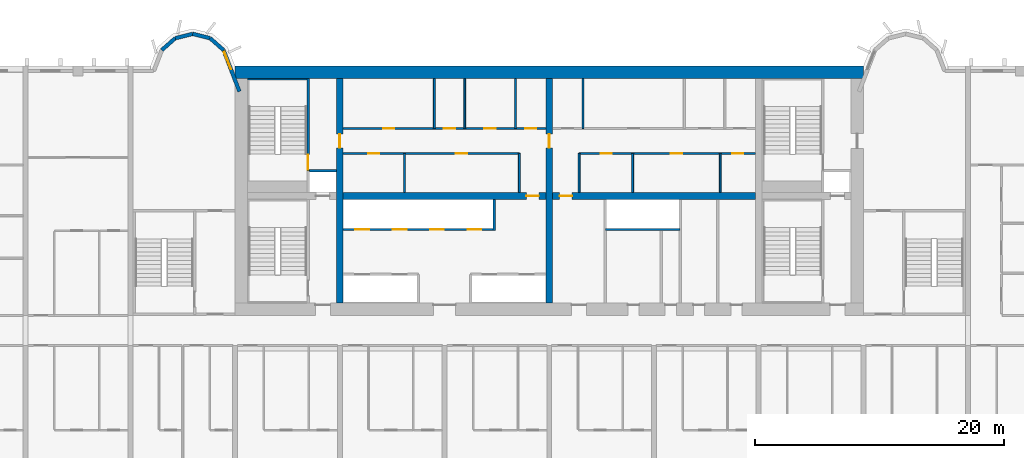
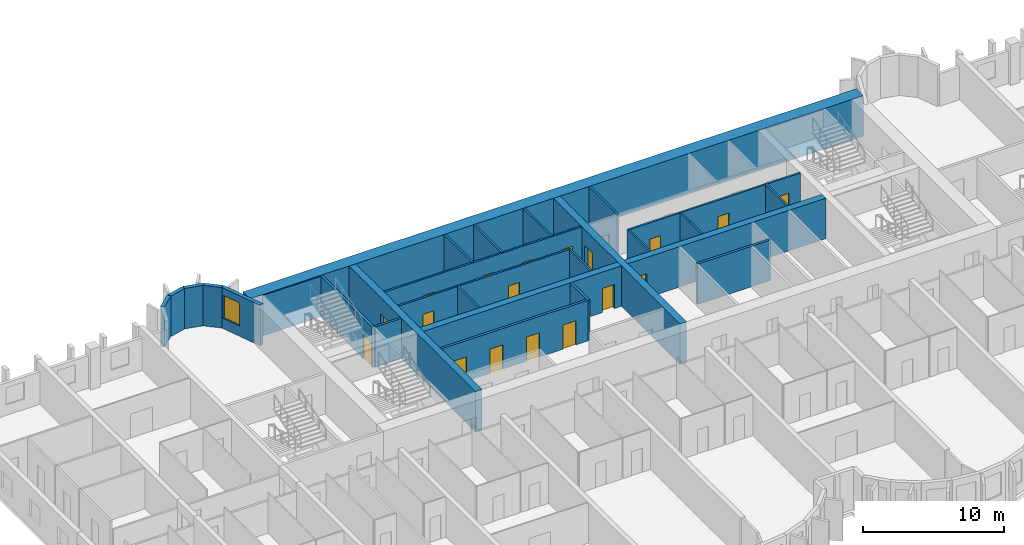
# One storey, part 7 of 15: 28 walls, 18 doors, 1 window, 19 openings.
"""IFC4 building model written with IfcOpenShell, lengths in metres."""

import ifcopenshell
import ifcopenshell.guid

model = None  # the IFC model being written
_history = None  # IfcOwnerHistory: only IFC2X3 demands one
_inside = {}  # id of a spatial element -> (the spatial element, [elements in it])
_under = {}  # id of a project, library or spatial element -> (it, [spatial elements below it])
_declared = {}  # id of a project -> (the project, [libraries it declares])
_typed = {}  # id of a type object -> (the type object, [elements of that type])
_made_of = {}  # id of a material, layer set ... -> (it, [elements and type objects made of it])


def new_model(schema):
    """Start an empty IFC model of exactly this schema.

    Asked for "IFC4X3", IfcOpenShell would pick the latest addendum, in which some entities
    have other attributes; the version numbers below select the first issue.
    IFC2X3 requires an IfcOwnerHistory on every rooted entity: one is made here for all.
    """
    global model, _history
    if schema == "IFC4X3":
        model = ifcopenshell.file(schema_version=(4, 3, 0, 0))
    else:
        model = ifcopenshell.file(schema=schema)
    _inside.clear()
    _under.clear()
    _declared.clear()
    _typed.clear()
    _made_of.clear()
    _history = None
    if model.schema == "IFC2X3":
        org = make("IfcOrganization", Name="unknown")
        user = make(
            "IfcPersonAndOrganization",
            ThePerson=make("IfcPerson", FamilyName="unknown"),
            TheOrganization=org,
        )
        app = make(
            "IfcApplication",
            ApplicationDeveloper=org,
            Version="unknown",
            ApplicationFullName="unknown",
            ApplicationIdentifier="unknown",
        )
        _history = make(
            "IfcOwnerHistory",
            OwningUser=user,
            OwningApplication=app,
            ChangeAction="ADDED",
            CreationDate=0,
        )
    return model


def make(cls, **values):
    """One entity of the class cls with the attributes given. An attribute that is None is left unset."""
    return model.create_entity(
        cls, **{name: value for name, value in values.items() if value is not None}
    )


def rooted(cls, **values):
    """An entity with a GlobalId (a new one), such as an element, a storey or a relation."""
    return make(cls, GlobalId=ifcopenshell.guid.new(), OwnerHistory=_history, **values)


def si_unit(unit_type, name, prefix=None):
    """IfcSIUnit, for example si_unit("LENGTHUNIT", "METRE", prefix="MILLI")."""
    return make("IfcSIUnit", UnitType=unit_type, Prefix=prefix, Name=name)


def assignment(units):
    """IfcUnitAssignment: the units of a project."""
    return None if units is None else make("IfcUnitAssignment", Units=units)


def point(xyz):
    """IfcCartesianPoint."""
    return None if xyz is None else make("IfcCartesianPoint", Coordinates=xyz)


def direction(xyz):
    """IfcDirection."""
    return None if xyz is None else make("IfcDirection", DirectionRatios=xyz)


def frame(location, z_axis=None, x_axis=None):
    """IfcAxis2Placement3D, a coordinate frame: its origin and axes. An axis left out is left unset."""
    return make(
        "IfcAxis2Placement3D",
        Location=point(location),
        Axis=direction(z_axis),
        RefDirection=direction(x_axis),
    )


def frame_2d(location, x_axis=None):
    """IfcAxis2Placement2D, a coordinate frame in the plane: its origin and x axis."""
    return make(
        "IfcAxis2Placement2D", Location=point(location), RefDirection=direction(x_axis)
    )


def origin():
    """The frame at (0, 0, 0) with its axes left unset."""
    return frame((0.0, 0.0, 0.0))


def place(relative_to, where):
    """IfcLocalPlacement: puts the frame where relative to a parent placement (None: the world)."""
    return make(
        "IfcLocalPlacement", PlacementRelTo=relative_to, RelativePlacement=where
    )


def context(
    kind, dimensions, precision=None, world=None, true_north=None, identifier=None
):
    """IfcGeometricRepresentationContext, for example the 3D "Model" context."""
    return make(
        "IfcGeometricRepresentationContext",
        ContextIdentifier=identifier,
        ContextType=kind,
        CoordinateSpaceDimension=dimensions,
        Precision=precision,
        WorldCoordinateSystem=world,
        TrueNorth=true_north,
    )


def subcontext(parent, identifier, kind, view, scale=None):
    """IfcGeometricRepresentationSubContext, for example "Body" below "Model"."""
    return make(
        "IfcGeometricRepresentationSubContext",
        ContextIdentifier=identifier,
        ContextType=kind,
        ParentContext=parent,
        TargetScale=scale,
        TargetView=view,
    )


def project(units=None, contexts=None):
    """IfcProject with its units and contexts."""
    return rooted(
        "IfcProject",
        Name="project",
        RepresentationContexts=contexts,
        UnitsInContext=assignment(units),
    )


def spatial(cls, under=None, at=None, **own):
    """A site, building, storey or space (cls), placed at a placement, below another one or the project."""
    s = rooted(cls, ObjectPlacement=at, **own)
    if under is not None:
        _under.setdefault(under.id(), (under, []))[1].append(s)
    return s


def profile(cls, at=None, kind="AREA", **sizes):
    """A parametric profile (cls). Its sizes go by their IFC names, for example OverallWidth=200.0."""
    return make(cls, ProfileType=kind, Position=at, **sizes)


def rectangle(**sizes):
    """IfcRectangleProfileDef."""
    return profile("IfcRectangleProfileDef", **sizes)


def extrude(swept, where, along, depth):
    """IfcExtrudedAreaSolid: the profile swept, set in the frame where, extruded along a direction by depth."""
    return make(
        "IfcExtrudedAreaSolid",
        SweptArea=swept,
        Position=where,
        ExtrudedDirection=direction(along),
        Depth=depth,
    )


def shape(context_of_items, identifier, shape_type, items):
    """IfcShapeRepresentation: the items that make up one representation, for example the "Body"."""
    return make(
        "IfcShapeRepresentation",
        ContextOfItems=context_of_items,
        RepresentationIdentifier=identifier,
        RepresentationType=shape_type,
        Items=items,
    )


def source(mapping_origin, context_of_items, identifier, shape_type, items):
    """IfcRepresentationMap: a shape defined once, which mapped items show again and again."""
    return make(
        "IfcRepresentationMap",
        MappingOrigin=mapping_origin,
        MappedRepresentation=shape(context_of_items, identifier, shape_type, items),
    )


def transform(
    local_origin,
    x_axis=None,
    y_axis=None,
    z_axis=None,
    scale=None,
    scale2=None,
    scale3=None,
    uniform=True,
):
    """IfcCartesianTransformationOperator3D, or its non-uniform kind. x_axis, y_axis, z_axis: its Axis1, 2, 3."""
    if uniform:
        return make(
            "IfcCartesianTransformationOperator3D",
            Axis1=direction(x_axis),
            Axis2=direction(y_axis),
            LocalOrigin=point(local_origin),
            Scale=scale,
            Axis3=direction(z_axis),
        )
    return make(
        "IfcCartesianTransformationOperator3DnonUniform",
        Axis1=direction(x_axis),
        Axis2=direction(y_axis),
        LocalOrigin=point(local_origin),
        Scale=scale,
        Axis3=direction(z_axis),
        Scale2=scale2,
        Scale3=scale3,
    )


def mapped(mapping_source, mapping_target):
    """IfcMappedItem: shows the shape of a source again, moved by a transform."""
    return make(
        "IfcMappedItem", MappingSource=mapping_source, MappingTarget=mapping_target
    )


def material(Name=None, Category=None):
    """IfcMaterial."""
    return make("IfcMaterial", Name=Name, Category=Category)


def layer(
    of_material, thickness, ventilated=None, Name=None, Category=None, Priority=None
):
    """IfcMaterialLayer: one layer of a wall or slab, of a material (None: an air gap)."""
    return make(
        "IfcMaterialLayer",
        Material=of_material,
        LayerThickness=thickness,
        IsVentilated=ventilated,
        Name=Name,
        Category=Category,
        Priority=Priority,
    )


def layer_set(layers, Name=None):
    """IfcMaterialLayerSet."""
    return make("IfcMaterialLayerSet", MaterialLayers=layers, LayerSetName=Name)


def made_of(thing, what):
    """Note that an element or type object is made of a material, layer set ...; save() writes the relation."""
    if what is not None:
        _made_of.setdefault(what.id(), (what, []))[1].append(thing)
    return thing


def type_object(cls, material=None, **own):
    """A type object (cls), such as IfcWallType, which elements share."""
    return made_of(rooted(cls, **own), material)


def element(
    cls,
    number,
    at=None,
    inside=None,
    cuts=None,
    type_object=None,
    material=None,
    context=None,
    identifier="Body",
    shape_type=None,
    held_by="IfcProductDefinitionShape",
    body=None,
    shapes=None,
    **own,
):
    """One element of the class cls, such as IfcWall. Its Tag is "e" and its number.

    at: its placement. inside: the storey or other place that contains it. cuts: it is an
    opening in that element (IfcRelVoidsElement). A single representation is given by context,
    identifier, shape_type and body (its items); several are given by shapes. held_by: the class
    of the entity that holds the representations. save() writes the other relations.
    """
    e = rooted(cls, Tag="e%d" % number, ObjectPlacement=at, **own)
    if body is not None:
        shapes = [shape(context, identifier, shape_type, body)]
    if shapes is not None:
        e.Representation = make(held_by, Representations=shapes)
    if inside is not None:
        _inside.setdefault(inside.id(), (inside, []))[1].append(e)
    if cuts is not None:
        rooted(
            "IfcRelVoidsElement", RelatingBuildingElement=cuts, RelatedOpeningElement=e
        )
    if type_object is not None:
        _typed.setdefault(type_object.id(), (type_object, []))[1].append(e)
    return made_of(e, material)


def fill(opening, filler):
    """IfcRelFillsElement: the door or window that sits in an opening."""
    return rooted(
        "IfcRelFillsElement",
        RelatingOpeningElement=opening,
        RelatedBuildingElement=filler,
    )


def aggregate(whole, parts):
    """IfcRelAggregates: a whole, such as a stair, and the parts it consists of."""
    return rooted("IfcRelAggregates", RelatingObject=whole, RelatedObjects=parts)


def save(model, path):
    """Write the relations noted so far, then the file.

    IfcRelAggregates (storeys below a building ...), IfcRelContainedInSpatialStructure (elements
    in a storey), IfcRelDefinesByType, IfcRelAssociatesMaterial and IfcRelDeclares: one each for
    every whole, place, type object, material and project.
    """
    for whole, parts in _under.values():
        aggregate(whole, parts)
    for where, things in _inside.values():
        rooted(
            "IfcRelContainedInSpatialStructure",
            RelatedElements=things,
            RelatingStructure=where,
        )
    for kind, things in _typed.values():
        rooted("IfcRelDefinesByType", RelatedObjects=things, RelatingType=kind)
    for what, things in _made_of.values():
        rooted("IfcRelAssociatesMaterial", RelatedObjects=things, RelatingMaterial=what)
    for by, libraries in _declared.values():
        rooted("IfcRelDeclares", RelatingContext=by, RelatedDefinitions=libraries)
    model.write(path)


model = new_model("IFC4")

# Units and contexts
model_context = context("Model", 3, precision=1e-05, world=origin(), true_north=direction((0.0, 1.0)))
body_context = subcontext(model_context, "Body", "Model", "MODEL_VIEW")
ifc_project = project(units=[si_unit("LENGTHUNIT", "METRE"), si_unit("AREAUNIT", "SQUARE_METRE"), si_unit("VOLUMEUNIT", "CUBIC_METRE"), si_unit("PLANEANGLEUNIT", "RADIAN"), si_unit("MASSUNIT", "GRAM", prefix="KILO")], contexts=[model_context])

# Site, building, storey
site_placement = place(None, origin())
site = spatial("IfcSite", under=ifc_project, at=site_placement, CompositionType="ELEMENT")
building_placement = place(site_placement, origin())
building = spatial("IfcBuilding", under=site, at=building_placement, Name="Vanashikhar Sky Hotel", CompositionType="ELEMENT")
storey_placement = place(building_placement, frame((0.0, 0.0, 65.800048828125)))
storey = spatial("IfcBuildingStorey", under=building, at=storey_placement, Name="L15", CompositionType="ELEMENT", Elevation=65.800048828125)

# Wall
ifc_material_1 = material(Name="Concrete M80", Category="concrete")
ifc_layer_1 = layer(ifc_material_1, 1.0)
ifc_layer_set_1 = layer_set([ifc_layer_1], Name="RC core shell wall 1000 Concrete M80")
wall_type_1 = type_object("IfcWallType", Name="RC core shell wall 1000 Concrete M80", PredefinedType="SHEAR", material=ifc_layer_set_1)
shared_shape_1 = source(origin(), body_context, "Body", "SweptSolid", [
    extrude(rectangle(XDim=50.400146484375, YDim=1.0, at=frame_2d((25.2001953125, 0.0))), origin(), (0.0, 0.0, 1.0), 3.52001953125),
])
wall_1_placement = place(storey_placement, frame((25.199951171875, 41.5, 0.0), z_axis=(0.0, 0.0, 1.0), x_axis=(1.0, 0.0, 0.0)))
element("IfcWall", 1, at=wall_1_placement, inside=storey, type_object=wall_type_1, Name="KW-L15-KN", PredefinedType="SHEAR", context=body_context, shape_type="MappedRepresentation", body=[
    mapped(shared_shape_1, transform((0.0, 0.0, 0.0), scale=1.0)),
])

# Wall, opening, door
ifc_layer_2 = layer(ifc_material_1, 0.550048828125)
ifc_layer_set_2 = layer_set([ifc_layer_2], Name="RC core inner wall 550 Concrete M80")
wall_type_2 = type_object("IfcWallType", Name="RC core inner wall 550 Concrete M80", PredefinedType="SHEAR", material=ifc_layer_set_2)
shared_shape_2 = source(origin(), body_context, "Body", "SweptSolid", [
    extrude(rectangle(XDim=18.0, YDim=0.550048828125, at=frame_2d((9.0, 0.0))), origin(), (0.0, 0.0, 1.0), 3.52001953125),
])
wall_2_placement = place(storey_placement, frame((33.60009765625, 23.0, 0.0), z_axis=(0.0, 0.0, 1.0), x_axis=(0.0, 1.0, 0.0)))
wall_2 = element("IfcWall", 2, at=wall_2_placement, inside=storey, type_object=wall_type_2, Name="KW-L15-KX1", PredefinedType="SHEAR", context=body_context, shape_type="MappedRepresentation", body=[
    mapped(shared_shape_2, transform((0.0, 0.0, 0.0), scale=1.0)),
])
shared_shape_3 = source(origin(), body_context, "Body", "SweptSolid", [
    extrude(rectangle(XDim=1.10009765625, YDim=2.10009765625, at=frame_2d((0.550048828125, 1.050048828125))), frame((0.0, 0.28515625, 0.0), z_axis=(0.0, -1.0, 0.0), x_axis=(1.0, 0.0, 0.0)), (0.0, 0.0, 1.0), 0.570068359375),
])
opening_1_placement = place(wall_2_placement, frame((12.449951171875, 0.0, 0.0)))
opening_1 = element("IfcOpeningElement", 3, at=opening_1_placement, cuts=wall_2, Name="Opening DC-4-C", PredefinedType="OPENING", context=body_context, shape_type="MappedRepresentation", body=[
    mapped(shared_shape_3, transform((0.0, 0.0, 0.0), scale=1.0)),
])
ifc_material_2 = material(Name="Steel", Category="steel")
door_type_1 = type_object("IfcDoorType", Name="Service door 1100 FD60", OperationType="NOTDEFINED", PredefinedType="DOOR", material=ifc_material_2)
shared_shape_4 = source(origin(), body_context, "Body", "SweptSolid", [
    extrude(rectangle(XDim=1.10009765625, YDim=2.10009765625, at=frame_2d((0.550048828125, 1.050048828125))), frame((0.0, 0.02490234375, 0.0), z_axis=(0.0, -1.0, 0.0), x_axis=(1.0, 0.0, 0.0)), (0.0, 0.0, 1.0), 0.050048828125),
])
door_1_placement = place(opening_1_placement, origin())
door_1 = element("IfcDoor", 4, at=door_1_placement, inside=storey, type_object=door_type_1, Name="Service door 1100 FD60", OperationType="SINGLE_SWING_LEFT", OverallHeight=2.10009765625, OverallWidth=1.10009765625, PredefinedType="DOOR", context=body_context, shape_type="MappedRepresentation", body=[
    mapped(shared_shape_4, transform((0.0, 0.0, 0.0), scale=1.0)),
])
fill(opening_1, door_1)

wall_3_placement = place(storey_placement, frame((50.39990234375, 23.0, 0.0), z_axis=(0.0, 0.0, 1.0), x_axis=(0.0, 1.0, 0.0)))
wall_3 = element("IfcWall", 5, at=wall_3_placement, inside=storey, type_object=wall_type_2, Name="KW-L15-KX2", PredefinedType="SHEAR", context=body_context, shape_type="MappedRepresentation", body=[
    mapped(shared_shape_2, transform((0.0, 0.0, 0.0), scale=1.0)),
])
opening_2_placement = place(wall_3_placement, frame((12.449951171875, 0.0, 0.0)))
opening_2 = element("IfcOpeningElement", 6, at=opening_2_placement, cuts=wall_3, Name="Opening DC-4-C", PredefinedType="OPENING", context=body_context, shape_type="MappedRepresentation", body=[
    mapped(shared_shape_3, transform((0.0, 0.0, 0.0), scale=1.0)),
])
door_2_placement = place(opening_2_placement, origin())
door_2 = element("IfcDoor", 7, at=door_2_placement, inside=storey, type_object=door_type_1, Name="Service door 1100 FD60", OperationType="SINGLE_SWING_RIGHT", OverallHeight=2.10009765625, OverallWidth=1.10009765625, PredefinedType="DOOR", context=body_context, shape_type="MappedRepresentation", body=[
    mapped(shared_shape_4, transform((0.0, 0.0, 0.0), scale=1.0)),
])
fill(opening_2, door_2)

shared_shape_5 = source(origin(), body_context, "Body", "SweptSolid", [
    extrude(rectangle(XDim=16.25, YDim=0.550048828125, at=frame_2d((8.125, 0.0))), origin(), (0.0, 0.0, 1.0), 3.52001953125),
])
wall_4_placement = place(storey_placement, frame((33.875, 31.60009765625, 0.0), z_axis=(0.0, 0.0, 1.0), x_axis=(1.0, 0.0, 0.0)))
wall_4 = element("IfcWall", 8, at=wall_4_placement, inside=storey, type_object=wall_type_2, Name="KW-L15-KY2", PredefinedType="SHEAR", context=body_context, shape_type="MappedRepresentation", body=[
    mapped(shared_shape_5, transform((0.0, 0.0, 0.0), scale=1.0)),
])
shared_shape_6 = source(origin(), body_context, "Body", "SweptSolid", [
    extrude(rectangle(XDim=1.0, YDim=2.10009765625, at=frame_2d((0.5, 1.050048828125))), frame((0.0, 0.28515625, 0.0), z_axis=(0.0, -1.0, 0.0), x_axis=(1.0, 0.0, 0.0)), (0.0, 0.0, 1.0), 0.570068359375),
])
opening_3_placement = place(wall_4_placement, frame((14.68701171875, 0.0, 0.0)))
opening_3 = element("IfcOpeningElement", 9, at=opening_3_placement, cuts=wall_4, Name="Opening DC-4", PredefinedType="OPENING", context=body_context, shape_type="MappedRepresentation", body=[
    mapped(shared_shape_6, transform((0.0, 0.0, 0.0), scale=1.0)),
])
door_type_2 = type_object("IfcDoorType", Name="Service door 1000 FD60", OperationType="NOTDEFINED", PredefinedType="DOOR", material=ifc_material_2)
shared_shape_7 = source(origin(), body_context, "Body", "SweptSolid", [
    extrude(rectangle(XDim=1.0, YDim=2.10009765625, at=frame_2d((0.5, 1.050048828125))), frame((0.0, 0.02490234375, 0.0), z_axis=(0.0, -1.0, 0.0), x_axis=(1.0, 0.0, 0.0)), (0.0, 0.0, 1.0), 0.050048828125),
])
door_3_placement = place(opening_3_placement, origin())
door_3 = element("IfcDoor", 10, at=door_3_placement, inside=storey, type_object=door_type_2, Name="Service door 1000 FD60", OperationType="SINGLE_SWING_LEFT", OverallHeight=2.10009765625, OverallWidth=1.0, PredefinedType="DOOR", context=body_context, shape_type="MappedRepresentation", body=[
    mapped(shared_shape_7, transform((0.0, 0.0, 0.0), scale=1.0)),
])
fill(opening_3, door_3)

wall_5_placement = place(storey_placement, frame((50.675048828125, 31.60009765625, 0.0), z_axis=(0.0, 0.0, 1.0), x_axis=(1.0, 0.0, 0.0)))
wall_5 = element("IfcWall", 11, at=wall_5_placement, inside=storey, type_object=wall_type_2, Name="KW-L15-KY3", PredefinedType="SHEAR", context=body_context, shape_type="MappedRepresentation", body=[
    mapped(shared_shape_5, transform((0.0, 0.0, 0.0), scale=1.0)),
])
opening_4_placement = place(wall_5_placement, frame((0.56201171875, 0.0, 0.0)))
opening_4 = element("IfcOpeningElement", 12, at=opening_4_placement, cuts=wall_5, Name="Opening DC-4", PredefinedType="OPENING", context=body_context, shape_type="MappedRepresentation", body=[
    mapped(shared_shape_6, transform((0.0, 0.0, 0.0), scale=1.0)),
])
door_4_placement = place(opening_4_placement, origin())
door_4 = element("IfcDoor", 13, at=door_4_placement, inside=storey, type_object=door_type_2, Name="Service door 1000 FD60", OperationType="SINGLE_SWING_LEFT", OverallHeight=2.10009765625, OverallWidth=1.0, PredefinedType="DOOR", context=body_context, shape_type="MappedRepresentation", body=[
    mapped(shared_shape_7, transform((0.0, 0.0, 0.0), scale=1.0)),
])
fill(opening_4, door_4)

# Wall, opening, window
ifc_material_3 = material(Name="Concrete M50", Category="concrete")
ifc_layer_3 = layer(ifc_material_3, 0.300048828125)
ifc_layer_set_3 = layer_set([ifc_layer_3], Name="Lobe wall 300")
wall_type_3 = type_object("IfcWallType", Name="Lobe wall 300", PredefinedType="SOLIDWALL", material=ifc_layer_set_3)
shared_shape_8 = source(origin(), body_context, "Body", "SweptSolid", [
    extrude(rectangle(XDim=3.55908203125, YDim=0.300048828125, at=frame_2d((1.779541015625, 0.0))), origin(), (0.0, 0.0, 1.0), 3.52001953125),
])
wall_6_placement = place(storey_placement, frame((25.550048828125, 39.968505859375, 0.0), z_axis=(0.0, 0.0, 1.0), x_axis=(-0.35779745313, 0.933799219604, 0.0)))
wall_6 = element("IfcWall", 14, at=wall_6_placement, inside=storey, type_object=wall_type_3, Name="Lobe wall", PredefinedType="SOLIDWALL", context=body_context, shape_type="MappedRepresentation", body=[
    mapped(shared_shape_8, transform((0.0, 0.0, 0.0), scale=1.0)),
])
shared_shape_9 = source(origin(), body_context, "Body", "SweptSolid", [
    extrude(rectangle(XDim=1.5, YDim=2.0, at=frame_2d((0.75, 1.0))), frame((0.0, 0.16015625, 0.0), z_axis=(0.0, -1.0, 0.0), x_axis=(1.0, 0.0, 0.0)), (0.0, 0.0, 1.0), 0.320068359375),
])
opening_5_placement = place(wall_6_placement, frame((1.9033203125, 0.0, 0.89990234375)))
opening_5 = element("IfcOpeningElement", 15, at=opening_5_placement, cuts=wall_6, Name="Opening WN-2", PredefinedType="OPENING", context=body_context, shape_type="MappedRepresentation", body=[
    mapped(shared_shape_9, transform((0.0, 0.0, 0.0), scale=1.0)),
])
ifc_material_4 = material(Name="Glass", Category="glass")
window_type = type_object("IfcWindowType", Name="Lobe window 1500 x 2000", PartitioningType="SINGLE_PANEL", PredefinedType="WINDOW", material=ifc_material_4)
shared_shape_10 = source(origin(), body_context, "Body", "SweptSolid", [
    extrude(rectangle(XDim=1.5, YDim=2.0, at=frame_2d((0.75, 1.0))), frame((0.0, 0.030029296875, 0.0), z_axis=(0.0, -1.0, 0.0), x_axis=(1.0, 0.0, 0.0)), (0.0, 0.0, 1.0), 0.06005859375),
])
window_placement = place(opening_5_placement, origin())
window = element("IfcWindow", 16, at=window_placement, inside=storey, type_object=window_type, Name="Window WN-2", OverallHeight=2.0, OverallWidth=1.5, PartitioningType="SINGLE_PANEL", PredefinedType="WINDOW", context=body_context, shape_type="MappedRepresentation", body=[
    mapped(shared_shape_10, transform((0.0, 0.0, 0.0), scale=1.0)),
])
fill(opening_5, window)

# Walls
shared_shape_11 = source(origin(), body_context, "Body", "SweptSolid", [
    extrude(rectangle(XDim=1.440185546875, YDim=0.300048828125, at=frame_2d((0.72021484375, 0.0))), origin(), (0.0, 0.0, 1.0), 3.52001953125),
])
wall_7_placement = place(storey_placement, frame((24.276611328125, 43.2919921875, 0.0), z_axis=(0.0, 0.0, 1.0), x_axis=(-0.749649827867, 0.661834673902, 0.0)))
element("IfcWall", 17, at=wall_7_placement, inside=storey, type_object=wall_type_3, Name="Lobe wall", PredefinedType="SOLIDWALL", context=body_context, shape_type="MappedRepresentation", body=[
    mapped(shared_shape_11, transform((0.0, 0.0, 0.0), scale=1.0)),
])
shared_shape_12 = source(origin(), body_context, "Body", "SweptSolid", [
    extrude(rectangle(XDim=1.4384765625, YDim=0.300048828125, at=frame_2d((0.71923828125, 0.0))), origin(), (0.0, 0.0, 1.0), 3.52001953125),
])
wall_8_placement = place(storey_placement, frame((23.197021484375, 44.2451171875, 0.0), z_axis=(0.0, 0.0, 1.0), x_axis=(-0.971152283879, 0.238460146601, 0.0)))
element("IfcWall", 18, at=wall_8_placement, inside=storey, type_object=wall_type_3, Name="Lobe wall", PredefinedType="SOLIDWALL", context=body_context, shape_type="MappedRepresentation", body=[
    mapped(shared_shape_12, transform((0.0, 0.0, 0.0), scale=1.0)),
])
shared_shape_13 = source(origin(), body_context, "Body", "SweptSolid", [
    extrude(rectangle(XDim=1.438720703125, YDim=0.300048828125, at=frame_2d((0.71923828125, 0.0))), origin(), (0.0, 0.0, 1.0), 3.52001953125),
])
wall_9_placement = place(storey_placement, frame((21.800048828125, 44.588134765625, 0.0), z_axis=(0.0, 0.0, 1.0), x_axis=(-0.971161932466, -0.238420848351, 0.0)))
element("IfcWall", 19, at=wall_9_placement, inside=storey, type_object=wall_type_3, Name="Lobe wall", PredefinedType="SOLIDWALL", context=body_context, shape_type="MappedRepresentation", body=[
    mapped(shared_shape_13, transform((0.0, 0.0, 0.0), scale=1.0)),
])
shared_shape_14 = source(origin(), body_context, "Body", "SweptSolid", [
    extrude(rectangle(XDim=1.43994140625, YDim=0.300048828125, at=frame_2d((0.719970703125, 0.0))), origin(), (0.0, 0.0, 1.0), 3.52001953125),
])
wall_10_placement = place(storey_placement, frame((20.40283203125, 44.2451171875, 0.0), z_axis=(0.0, 0.0, 1.0), x_axis=(-0.74957555648, -0.661918790432, 0.0)))
element("IfcWall", 20, at=wall_10_placement, inside=storey, type_object=wall_type_3, Name="Lobe wall", PredefinedType="SOLIDWALL", context=body_context, shape_type="MappedRepresentation", body=[
    mapped(shared_shape_14, transform((0.0, 0.0, 0.0), scale=1.0)),
])
ifc_material_5 = material(Name="Concrete M40", Category="concrete")
ifc_layer_4 = layer(ifc_material_5, 0.199951171875)
ifc_layer_set_4 = layer_set([ifc_layer_4], Name="Shaft wall 200")
wall_type_4 = type_object("IfcWallType", Name="Shaft wall 200", PredefinedType="SOLIDWALL", material=ifc_layer_set_4)
shared_shape_15 = source(origin(), body_context, "Body", "SweptSolid", [
    extrude(rectangle(XDim=6.0, YDim=0.199951171875, at=frame_2d((3.0, 0.0))), origin(), (0.0, 0.0, 1.0), 3.52001953125),
])
wall_11_placement = place(storey_placement, frame((60.89990234375, 28.89990234375, 0.0), z_axis=(0.0, 0.0, 1.0), x_axis=(-1.0, 0.0, 0.0)))
element("IfcWall", 21, at=wall_11_placement, inside=storey, type_object=wall_type_4, Name="Shaft wall 200", PredefinedType="SOLIDWALL", context=body_context, shape_type="MappedRepresentation", body=[
    mapped(shared_shape_15, transform((0.0, 0.0, 0.0), scale=1.0)),
])
ifc_layer_5 = layer(ifc_material_3, 0.10009765625)
ifc_layer_set_5 = layer_set([ifc_layer_5], Name="Stair infill wall 100")
wall_type_5 = type_object("IfcWallType", Name="Stair infill wall 100", PredefinedType="SOLIDWALL", material=ifc_layer_set_5)
shared_shape_16 = source(origin(), body_context, "Body", "SweptSolid", [
    extrude(rectangle(XDim=4.75, YDim=0.10009765625, at=frame_2d((2.375, 0.0))), origin(), (0.0, 0.0, 1.0), 3.52001953125),
])
wall_12_placement = place(storey_placement, frame((26.199951171875, 40.949951171875, 0.0), z_axis=(0.0, 0.0, 1.0), x_axis=(1.0, 0.0, 0.0)))
element("IfcWall", 22, at=wall_12_placement, inside=storey, type_object=wall_type_5, Name="Stair infill wall 100", PredefinedType="SOLIDWALL", context=body_context, shape_type="MappedRepresentation", body=[
    mapped(shared_shape_16, transform((0.0, 0.0, 0.0), scale=1.0)),
])

# Wall, openings, doors
shared_shape_17 = source(origin(), body_context, "Body", "SweptSolid", [
    extrude(rectangle(XDim=12.02490234375, YDim=0.199951171875, at=frame_2d((6.012451171875, 0.0))), origin(), (0.0, 0.0, 1.0), 3.52001953125),
])
wall_13_placement = place(storey_placement, frame((33.875, 28.89990234375, 0.0), z_axis=(0.0, 0.0, 1.0), x_axis=(1.0, 0.0, 0.0)))
wall_13 = element("IfcWall", 23, at=wall_13_placement, inside=storey, type_object=wall_type_4, Name="Shaft wall 200", PredefinedType="SOLIDWALL", context=body_context, shape_type="MappedRepresentation", body=[
    mapped(shared_shape_17, transform((0.0, 0.0, 0.0), scale=1.0)),
])
shared_shape_18 = source(origin(), body_context, "Body", "SweptSolid", [
    extrude(rectangle(XDim=1.10009765625, YDim=2.10009765625, at=frame_2d((0.550048828125, 1.050048828125))), frame((0.0, 0.10986328125, 0.0), z_axis=(0.0, -1.0, 0.0), x_axis=(1.0, 0.0, 0.0)), (0.0, 0.0, 1.0), 0.219970703125),
])
opening_6_placement = place(wall_13_placement, frame((0.97509765625, 0.0, 0.0)))
opening_6 = element("IfcOpeningElement", 24, at=opening_6_placement, cuts=wall_13, Name="Opening LD", PredefinedType="OPENING", context=body_context, shape_type="MappedRepresentation", body=[
    mapped(shared_shape_18, transform((0.0, 0.0, 0.0), scale=1.0)),
])
opening_7_placement = place(wall_13_placement, frame((3.97509765625, 0.0, 0.0)))
opening_7 = element("IfcOpeningElement", 25, at=opening_7_placement, cuts=wall_13, Name="Opening LD", PredefinedType="OPENING", context=body_context, shape_type="MappedRepresentation", body=[
    mapped(shared_shape_18, transform((0.0, 0.0, 0.0), scale=1.0)),
])
opening_8_placement = place(wall_13_placement, frame((6.97509765625, 0.0, 0.0)))
opening_8 = element("IfcOpeningElement", 26, at=opening_8_placement, cuts=wall_13, Name="Opening LD", PredefinedType="OPENING", context=body_context, shape_type="MappedRepresentation", body=[
    mapped(shared_shape_18, transform((0.0, 0.0, 0.0), scale=1.0)),
])
opening_9_placement = place(wall_13_placement, frame((9.97509765625, 0.0, 0.0)))
opening_9 = element("IfcOpeningElement", 27, at=opening_9_placement, cuts=wall_13, Name="Opening LD", PredefinedType="OPENING", context=body_context, shape_type="MappedRepresentation", body=[
    mapped(shared_shape_18, transform((0.0, 0.0, 0.0), scale=1.0)),
])
ifc_material_6 = material(Name="Stainless steel", Category="steel")
door_type_3 = type_object("IfcDoorType", Name="Lift landing door 1100", OperationType="NOTDEFINED", PredefinedType="DOOR", material=ifc_material_6)
door_5_placement = place(opening_6_placement, origin())
door_5 = element("IfcDoor", 28, at=door_5_placement, inside=storey, type_object=door_type_3, Name="Lift landing door 1100", OperationType="SLIDING_TO_LEFT", OverallHeight=2.10009765625, OverallWidth=1.10009765625, PredefinedType="DOOR", context=body_context, shape_type="MappedRepresentation", body=[
    mapped(shared_shape_4, transform((0.0, 0.0, 0.0), scale=1.0)),
])
fill(opening_6, door_5)
door_6_placement = place(opening_7_placement, origin())
door_6 = element("IfcDoor", 29, at=door_6_placement, inside=storey, type_object=door_type_3, Name="Lift landing door 1100", OperationType="SLIDING_TO_RIGHT", OverallHeight=2.10009765625, OverallWidth=1.10009765625, PredefinedType="DOOR", context=body_context, shape_type="MappedRepresentation", body=[
    mapped(shared_shape_4, transform((0.0, 0.0, 0.0), scale=1.0)),
])
fill(opening_7, door_6)
door_7_placement = place(opening_8_placement, origin())
door_7 = element("IfcDoor", 30, at=door_7_placement, inside=storey, type_object=door_type_3, Name="Lift landing door 1100", OperationType="SLIDING_TO_LEFT", OverallHeight=2.10009765625, OverallWidth=1.10009765625, PredefinedType="DOOR", context=body_context, shape_type="MappedRepresentation", body=[
    mapped(shared_shape_4, transform((0.0, 0.0, 0.0), scale=1.0)),
])
fill(opening_8, door_7)
door_8_placement = place(opening_9_placement, origin())
door_8 = element("IfcDoor", 31, at=door_8_placement, inside=storey, type_object=door_type_3, Name="Lift landing door 1100", OperationType="SLIDING_TO_RIGHT", OverallHeight=2.10009765625, OverallWidth=1.10009765625, PredefinedType="DOOR", context=body_context, shape_type="MappedRepresentation", body=[
    mapped(shared_shape_4, transform((0.0, 0.0, 0.0), scale=1.0)),
])
fill(opening_9, door_8)

# Walls
shared_shape_19 = source(origin(), body_context, "Body", "SweptSolid", [
    extrude(rectangle(XDim=2.52490234375, YDim=0.199951171875, at=frame_2d((1.262451171875, 0.0))), origin(), (0.0, 0.0, 1.0), 3.52001953125),
])
wall_14_placement = place(storey_placement, frame((46.0, 28.800048828125, 0.0), z_axis=(0.0, 0.0, 1.0), x_axis=(0.0, 1.0, 0.0)))
element("IfcWall", 32, at=wall_14_placement, inside=storey, type_object=wall_type_4, Name="Shaft wall 200", PredefinedType="SOLIDWALL", context=body_context, shape_type="MappedRepresentation", body=[
    mapped(shared_shape_19, transform((0.0, 0.0, 0.0), scale=1.0)),
])
ifc_material_7 = material(Name="Gypsum board partition")
ifc_layer_6 = layer(ifc_material_7, 0.14990234375)
ifc_layer_set_6 = layer_set([ifc_layer_6], Name="Service partition 150")
wall_type_6 = type_object("IfcWallType", Name="Service partition 150", PredefinedType="PARTITIONING", material=ifc_layer_set_6)
shared_shape_20 = source(origin(), body_context, "Body", "SweptSolid", [
    extrude(rectangle(XDim=3.125, YDim=0.14990234375, at=frame_2d((1.5625, 0.0))), origin(), (0.0, 0.0, 1.0), 3.52001953125),
])
for number, where, z_axis, x_axis, name in (
    (33, (48.0, 31.875, 0.0), (0.0, 0.0, 1.0), (0.0, 1.0, 0.0), "Service partition 150"),
    (34, (38.7919921875, 31.875, 0.0), (0.0, 0.0, 1.0), (0.0, 1.0, 0.0), "Service partition 150"),
    (35, (52.800048828125, 31.875, 0.0), (0.0, 0.0, 1.0), (0.0, 1.0, 0.0), "Service partition 150"),
    (36, (64.114990234375, 31.875, 0.0), (0.0, 0.0, 1.0), (0.0, 1.0, 0.0), "Service partition 150"),
    (37, (57.090087890625, 31.875, 0.0), (0.0, 0.0, 1.0), (0.0, 1.0, 0.0), "Service partition 150"),
):
    element("IfcWall", number, at=place(storey_placement, frame(where, z_axis=z_axis, x_axis=x_axis)), inside=storey, type_object=wall_type_6, Name=name, PredefinedType="PARTITIONING", context=body_context, shape_type="MappedRepresentation", body=[
        mapped(shared_shape_20, transform((0.0, 0.0, 0.0), scale=1.0)),
    ])

# Wall, openings, doors
shared_shape_21 = source(origin(), body_context, "Body", "SweptSolid", [
    extrude(rectangle(XDim=14.125, YDim=0.14990234375, at=frame_2d((7.0625, 0.0))), origin(), (0.0, 0.0, 1.0), 3.52001953125),
])
wall_15_placement = place(storey_placement, frame((33.875, 35.0, 0.0), z_axis=(0.0, 0.0, 1.0), x_axis=(1.0, 0.0, 0.0)))
wall_15 = element("IfcWall", 38, at=wall_15_placement, inside=storey, type_object=wall_type_6, Name="Service partition 150", PredefinedType="PARTITIONING", context=body_context, shape_type="MappedRepresentation", body=[
    mapped(shared_shape_21, transform((0.0, 0.0, 0.0), scale=1.0)),
])
shared_shape_22 = source(origin(), body_context, "Body", "SweptSolid", [
    extrude(rectangle(XDim=0.89990234375, YDim=2.10009765625, at=frame_2d((0.449951171875, 1.050048828125))), frame((0.0, 0.0849609375, 0.0), z_axis=(0.0, -1.0, 0.0), x_axis=(1.0, 0.0, 0.0)), (0.0, 0.0, 1.0), 0.169921875),
])
opening_10_placement = place(wall_15_placement, frame((2.009033203125, 0.0, 0.0)))
opening_10 = element("IfcOpeningElement", 39, at=opening_10_placement, cuts=wall_15, Name="Opening DC-4-A", PredefinedType="OPENING", context=body_context, shape_type="MappedRepresentation", body=[
    mapped(shared_shape_22, transform((0.0, 0.0, 0.0), scale=1.0)),
])
opening_11_placement = place(wall_15_placement, frame((9.033935546875, 0.0, 0.0)))
opening_11 = element("IfcOpeningElement", 40, at=opening_11_placement, cuts=wall_15, Name="Opening DC-4-A", PredefinedType="OPENING", context=body_context, shape_type="MappedRepresentation", body=[
    mapped(shared_shape_22, transform((0.0, 0.0, 0.0), scale=1.0)),
])
door_type_4 = type_object("IfcDoorType", Name="Service door 900 FD60", OperationType="NOTDEFINED", PredefinedType="DOOR", material=ifc_material_2)
shared_shape_23 = source(origin(), body_context, "Body", "SweptSolid", [
    extrude(rectangle(XDim=0.89990234375, YDim=2.10009765625, at=frame_2d((0.449951171875, 1.050048828125))), frame((0.0, 0.02490234375, 0.0), z_axis=(0.0, -1.0, 0.0), x_axis=(1.0, 0.0, 0.0)), (0.0, 0.0, 1.0), 0.050048828125),
])
door_9_placement = place(opening_10_placement, origin())
door_9 = element("IfcDoor", 41, at=door_9_placement, inside=storey, type_object=door_type_4, Name="Service door 900 FD60", OperationType="SINGLE_SWING_RIGHT", OverallHeight=2.10009765625, OverallWidth=0.89990234375, PredefinedType="DOOR", context=body_context, shape_type="MappedRepresentation", body=[
    mapped(shared_shape_23, transform((0.0, 0.0, 0.0), scale=1.0)),
])
fill(opening_10, door_9)
door_10_placement = place(opening_11_placement, origin())
door_10 = element("IfcDoor", 42, at=door_10_placement, inside=storey, type_object=door_type_4, Name="Service door 900 FD60", OperationType="SINGLE_SWING_RIGHT", OverallHeight=2.10009765625, OverallWidth=0.89990234375, PredefinedType="DOOR", context=body_context, shape_type="MappedRepresentation", body=[
    mapped(shared_shape_23, transform((0.0, 0.0, 0.0), scale=1.0)),
])
fill(opening_11, door_10)

wall_16_placement = place(storey_placement, frame((66.925048828125, 35.0, 0.0), z_axis=(0.0, 0.0, 1.0), x_axis=(-1.0, 0.0, 0.0)))
wall_16 = element("IfcWall", 43, at=wall_16_placement, inside=storey, type_object=wall_type_6, Name="Service partition 150", PredefinedType="PARTITIONING", context=body_context, shape_type="MappedRepresentation", body=[
    mapped(shared_shape_21, transform((0.0, 0.0, 0.0), scale=1.0)),
])
opening_12_placement = place(wall_16_placement, frame((0.955078125, 0.0, 0.0)))
opening_12 = element("IfcOpeningElement", 44, at=opening_12_placement, cuts=wall_16, Name="Opening DC-4-A", PredefinedType="OPENING", context=body_context, shape_type="MappedRepresentation", body=[
    mapped(shared_shape_22, transform((0.0, 0.0, 0.0), scale=1.0)),
])
opening_13_placement = place(wall_16_placement, frame((5.873046875, 0.0, 0.0)))
opening_13 = element("IfcOpeningElement", 45, at=opening_13_placement, cuts=wall_16, Name="Opening DC-4-A", PredefinedType="OPENING", context=body_context, shape_type="MappedRepresentation", body=[
    mapped(shared_shape_22, transform((0.0, 0.0, 0.0), scale=1.0)),
])
opening_14_placement = place(wall_16_placement, frame((11.491943359375, 0.0, 0.0)))
opening_14 = element("IfcOpeningElement", 46, at=opening_14_placement, cuts=wall_16, Name="Opening DC-4-A", PredefinedType="OPENING", context=body_context, shape_type="MappedRepresentation", body=[
    mapped(shared_shape_22, transform((0.0, 0.0, 0.0), scale=1.0)),
])
door_11_placement = place(opening_12_placement, origin())
door_11 = element("IfcDoor", 47, at=door_11_placement, inside=storey, type_object=door_type_4, Name="Service door 900 FD60", OperationType="SINGLE_SWING_RIGHT", OverallHeight=2.10009765625, OverallWidth=0.89990234375, PredefinedType="DOOR", context=body_context, shape_type="MappedRepresentation", body=[
    mapped(shared_shape_23, transform((0.0, 0.0, 0.0), scale=1.0)),
])
fill(opening_12, door_11)
door_12_placement = place(opening_13_placement, origin())
door_12 = element("IfcDoor", 48, at=door_12_placement, inside=storey, type_object=door_type_4, Name="Service door 900 FD60", OperationType="SINGLE_SWING_RIGHT", OverallHeight=2.10009765625, OverallWidth=0.89990234375, PredefinedType="DOOR", context=body_context, shape_type="MappedRepresentation", body=[
    mapped(shared_shape_23, transform((0.0, 0.0, 0.0), scale=1.0)),
])
fill(opening_13, door_12)
door_13_placement = place(opening_14_placement, origin())
door_13 = element("IfcDoor", 49, at=door_13_placement, inside=storey, type_object=door_type_4, Name="Service door 900 FD60", OperationType="SINGLE_SWING_LEFT", OverallHeight=2.10009765625, OverallWidth=0.89990234375, PredefinedType="DOOR", context=body_context, shape_type="MappedRepresentation", body=[
    mapped(shared_shape_23, transform((0.0, 0.0, 0.0), scale=1.0)),
])
fill(opening_14, door_13)

shared_shape_24 = source(origin(), body_context, "Body", "SweptSolid", [
    extrude(rectangle(XDim=16.25, YDim=0.14990234375, at=frame_2d((8.125, 0.0))), origin(), (0.0, 0.0, 1.0), 3.52001953125),
])
wall_17_placement = place(storey_placement, frame((33.875, 37.0, 0.0), z_axis=(0.0, 0.0, 1.0), x_axis=(1.0, 0.0, 0.0)))
wall_17 = element("IfcWall", 50, at=wall_17_placement, inside=storey, type_object=wall_type_6, Name="Service partition 150", PredefinedType="PARTITIONING", context=body_context, shape_type="MappedRepresentation", body=[
    mapped(shared_shape_24, transform((0.0, 0.0, 0.0), scale=1.0)),
])
opening_15_placement = place(wall_17_placement, frame((3.2060546875, 0.0, 0.0)))
opening_15 = element("IfcOpeningElement", 51, at=opening_15_placement, cuts=wall_17, Name="Opening DC-4-A", PredefinedType="OPENING", context=body_context, shape_type="MappedRepresentation", body=[
    mapped(shared_shape_22, transform((0.0, 0.0, 0.0), scale=1.0)),
])
opening_16_placement = place(wall_17_placement, frame((8.0810546875, 0.0, 0.0)))
opening_16 = element("IfcOpeningElement", 52, at=opening_16_placement, cuts=wall_17, Name="Opening DC-4-A", PredefinedType="OPENING", context=body_context, shape_type="MappedRepresentation", body=[
    mapped(shared_shape_22, transform((0.0, 0.0, 0.0), scale=1.0)),
])
opening_17_placement = place(wall_17_placement, frame((11.3310546875, 0.0, 0.0)))
opening_17 = element("IfcOpeningElement", 53, at=opening_17_placement, cuts=wall_17, Name="Opening DC-4-A", PredefinedType="OPENING", context=body_context, shape_type="MappedRepresentation", body=[
    mapped(shared_shape_22, transform((0.0, 0.0, 0.0), scale=1.0)),
])
opening_18_placement = place(wall_17_placement, frame((14.5810546875, 0.0, 0.0)))
opening_18 = element("IfcOpeningElement", 54, at=opening_18_placement, cuts=wall_17, Name="Opening DC-4-A", PredefinedType="OPENING", context=body_context, shape_type="MappedRepresentation", body=[
    mapped(shared_shape_22, transform((0.0, 0.0, 0.0), scale=1.0)),
])
door_14_placement = place(opening_15_placement, origin())
door_14 = element("IfcDoor", 55, at=door_14_placement, inside=storey, type_object=door_type_4, Name="Service door 900 FD60", OperationType="SINGLE_SWING_RIGHT", OverallHeight=2.10009765625, OverallWidth=0.89990234375, PredefinedType="DOOR", context=body_context, shape_type="MappedRepresentation", body=[
    mapped(shared_shape_23, transform((0.0, 0.0, 0.0), scale=1.0)),
])
fill(opening_15, door_14)
door_15_placement = place(opening_16_placement, origin())
door_15 = element("IfcDoor", 56, at=door_15_placement, inside=storey, type_object=door_type_4, Name="Service door 900 FD60", OperationType="SINGLE_SWING_RIGHT", OverallHeight=2.10009765625, OverallWidth=0.89990234375, PredefinedType="DOOR", context=body_context, shape_type="MappedRepresentation", body=[
    mapped(shared_shape_23, transform((0.0, 0.0, 0.0), scale=1.0)),
])
fill(opening_16, door_15)
door_16_placement = place(opening_17_placement, origin())
door_16 = element("IfcDoor", 57, at=door_16_placement, inside=storey, type_object=door_type_4, Name="Service door 900 FD60", OperationType="SINGLE_SWING_RIGHT", OverallHeight=2.10009765625, OverallWidth=0.89990234375, PredefinedType="DOOR", context=body_context, shape_type="MappedRepresentation", body=[
    mapped(shared_shape_23, transform((0.0, 0.0, 0.0), scale=1.0)),
])
fill(opening_17, door_16)
door_17_placement = place(opening_18_placement, origin())
door_17 = element("IfcDoor", 58, at=door_17_placement, inside=storey, type_object=door_type_4, Name="Service door 900 FD60", OperationType="SINGLE_SWING_LEFT", OverallHeight=2.10009765625, OverallWidth=0.89990234375, PredefinedType="DOOR", context=body_context, shape_type="MappedRepresentation", body=[
    mapped(shared_shape_23, transform((0.0, 0.0, 0.0), scale=1.0)),
])
fill(opening_18, door_17)

# Walls
shared_shape_25 = source(origin(), body_context, "Body", "SweptSolid", [
    extrude(rectangle(XDim=4.0, YDim=0.14990234375, at=frame_2d((2.0, 0.0))), origin(), (0.0, 0.0, 1.0), 3.52001953125),
])
for number, where, z_axis, x_axis, name in (
    (59, (41.18798828125, 37.0, 0.0), (0.0, 0.0, 1.0), (0.0, 1.0, 0.0), "Service partition 150"),
    (60, (43.625, 37.0, 0.0), (0.0, 0.0, 1.0), (0.0, 1.0, 0.0), "Service partition 150"),
    (61, (47.68798828125, 37.0, 0.0), (0.0, 0.0, 1.0), (0.0, 1.0, 0.0), "Service partition 150"),
    (62, (53.112060546875, 37.0, 0.0), (0.0, 0.0, 1.0), (0.0, 1.0, 0.0), "Service partition 150"),
):
    element("IfcWall", number, at=place(storey_placement, frame(where, z_axis=z_axis, x_axis=x_axis)), inside=storey, type_object=wall_type_6, Name=name, PredefinedType="PARTITIONING", context=body_context, shape_type="MappedRepresentation", body=[
        mapped(shared_shape_25, transform((0.0, 0.0, 0.0), scale=1.0)),
    ])
shared_shape_26 = source(origin(), body_context, "Body", "SweptSolid", [
    extrude(rectangle(XDim=2.175048828125, YDim=0.199951171875, at=frame_2d((1.08740234375, 0.0))), origin(), (0.0, 0.0, 1.0), 3.52001953125),
])
wall_18_placement = place(storey_placement, frame((31.14990234375, 33.60009765625, 0.0), z_axis=(0.0, 0.0, 1.0), x_axis=(1.0, 0.0, 0.0)))
element("IfcWall", 63, at=wall_18_placement, inside=storey, type_object=wall_type_4, Name="Shaft wall 200", PredefinedType="SOLIDWALL", context=body_context, shape_type="MappedRepresentation", body=[
    mapped(shared_shape_26, transform((0.0, 0.0, 0.0), scale=1.0)),
])

# Wall, opening, door
ifc_layer_7 = layer(ifc_material_3, 0.199951171875)
ifc_layer_set_7 = layer_set([ifc_layer_7], Name="Stair wall 200")
wall_type_7 = type_object("IfcWallType", Name="Stair wall 200", PredefinedType="SOLIDWALL", material=ifc_layer_set_7)
shared_shape_27 = source(origin(), body_context, "Body", "SweptSolid", [
    extrude(rectangle(XDim=7.39990234375, YDim=0.199951171875, at=frame_2d((3.699951171875, 0.0))), origin(), (0.0, 0.0, 1.0), 3.52001953125),
])
wall_19_placement = place(storey_placement, frame((31.050048828125, 33.60009765625, 0.0), z_axis=(0.0, 0.0, 1.0), x_axis=(0.0, 1.0, 0.0)))
wall_19 = element("IfcWall", 64, at=wall_19_placement, inside=storey, type_object=wall_type_7, Name="Stair wall 200", PredefinedType="SOLIDWALL", context=body_context, shape_type="MappedRepresentation", body=[
    mapped(shared_shape_27, transform((0.0, 0.0, 0.0), scale=1.0)),
])
shared_shape_28 = source(origin(), body_context, "Body", "SweptSolid", [
    extrude(rectangle(XDim=1.199951171875, YDim=2.10009765625, at=frame_2d((0.60009765625, 1.050048828125))), frame((0.0, 0.10986328125, 0.0), z_axis=(0.0, -1.0, 0.0), x_axis=(1.0, 0.0, 0.0)), (0.0, 0.0, 1.0), 0.219970703125),
])
opening_19_placement = place(wall_19_placement, frame((0.10009765625, 0.0, 0.0)))
opening_19 = element("IfcOpeningElement", 65, at=opening_19_placement, cuts=wall_19, Name="Opening DC-1", PredefinedType="OPENING", context=body_context, shape_type="MappedRepresentation", body=[
    mapped(shared_shape_28, transform((0.0, 0.0, 0.0), scale=1.0)),
])
door_type_5 = type_object("IfcDoorType", Name="Stair door 1200 FD120", OperationType="NOTDEFINED", PredefinedType="DOOR", material=ifc_material_2)
shared_shape_29 = source(origin(), body_context, "Body", "SweptSolid", [
    extrude(rectangle(XDim=1.199951171875, YDim=2.10009765625, at=frame_2d((0.60009765625, 1.050048828125))), frame((0.0, 0.02490234375, 0.0), z_axis=(0.0, -1.0, 0.0), x_axis=(1.0, 0.0, 0.0)), (0.0, 0.0, 1.0), 0.050048828125),
])
door_18_placement = place(opening_19_placement, origin())
door_18 = element("IfcDoor", 66, at=door_18_placement, inside=storey, type_object=door_type_5, Name="Stair door 1200 FD120", OperationType="SINGLE_SWING_RIGHT", OverallHeight=2.10009765625, OverallWidth=1.199951171875, PredefinedType="DOOR", context=body_context, shape_type="MappedRepresentation", body=[
    mapped(shared_shape_29, transform((0.0, 0.0, 0.0), scale=1.0)),
])
fill(opening_19, door_18)

save(model, "model.ifc")
